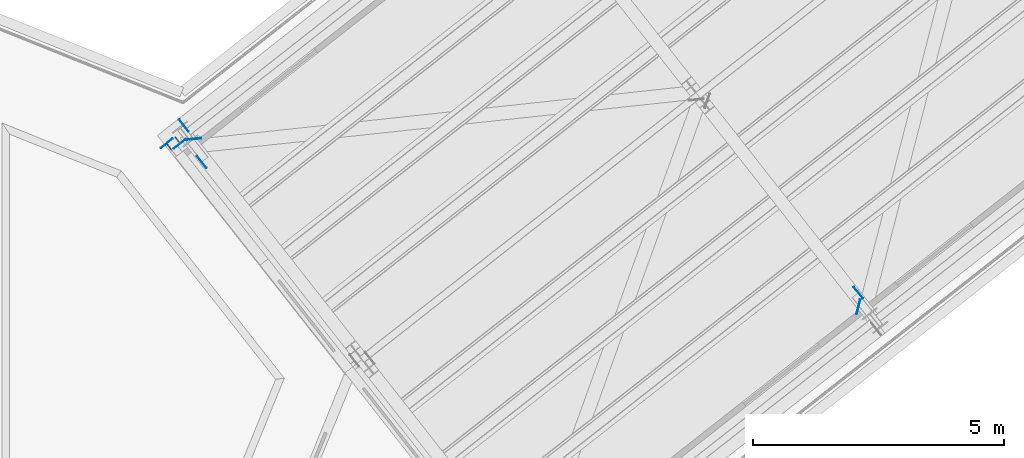
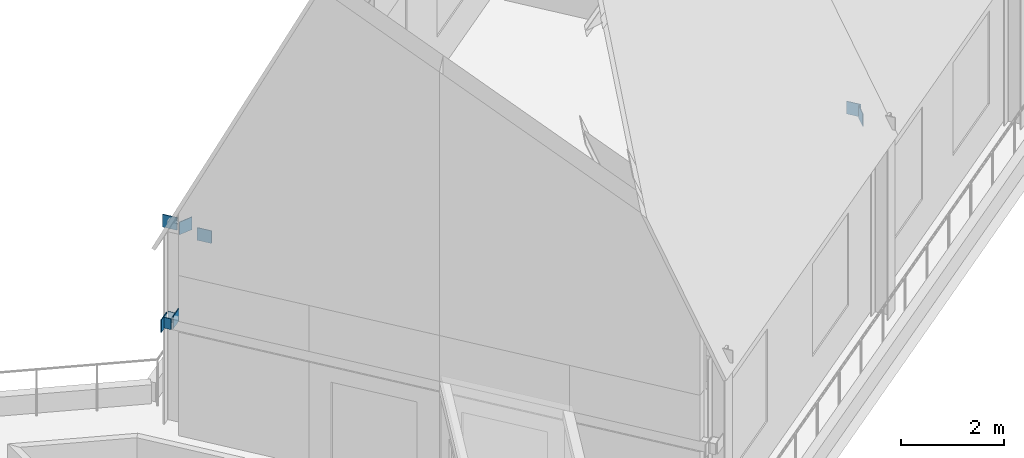
# One storey, part 27 of 32: 9 discrete accessories.
"""IFC4 building model written with IfcOpenShell, lengths in metres."""

from ifc_helpers import new_model, si_unit, direction, frame, origin, origin_2d, place, context, subcontext, project, spatial, rectangle, extrude, element, save


model = new_model("IFC4")

# Units and contexts
model_context = context("Model", 3, precision=1e-05, world=origin(), true_north=direction((0.0, 1.0)))
body_context = subcontext(model_context, "Body", "Model", "MODEL_VIEW")
ifc_project = project(units=[si_unit("LENGTHUNIT", "METRE"), si_unit("AREAUNIT", "SQUARE_METRE"), si_unit("VOLUMEUNIT", "CUBIC_METRE"), si_unit("PLANEANGLEUNIT", "RADIAN"), si_unit("MASSUNIT", "GRAM", prefix="KILO")], contexts=[model_context])

# Site, building, storey
site_placement = place(None, origin())
site = spatial("IfcSite", under=ifc_project, at=site_placement, CompositionType="ELEMENT")
building_placement = place(site_placement, origin())
building = spatial("IfcBuilding", under=site, at=building_placement, Name="Verdalira Terraces Hotel", CompositionType="ELEMENT")
storey_placement = place(building_placement, frame((0.0, 0.0, 315.0)))
storey = spatial("IfcBuildingStorey", under=building, at=storey_placement, Name="L78", CompositionType="ELEMENT", Elevation=315.0)

# Discrete accessories
for number, where, z_axis, x_axis, name in (
    (1, (14.819336, 18.894287, 2.583008), (0.792623989, 0.609710761, 0.0), (-0.609710761, 0.792623989, 0.0), "End cap plate"),
    (2, (14.987793, 19.026611, 2.583008), (0.792623989, 0.609710761, 0.0), (-0.609710761, 0.792623989, 0.0), "End cap plate"),
):
    element("IfcDiscreteAccessory", number, at=place(storey_placement, frame(where, z_axis=z_axis, x_axis=x_axis)), inside=storey, Name=name, PredefinedType="ANCHORPLATE", context=body_context, shape_type="SweptSolid", body=[
        extrude(rectangle(XDim=0.152344, YDim=0.253906, at=origin_2d()), origin(), (0.0, 0.0, 1.0), 0.011963),
    ])
for number, where, z_axis, x_axis, name in (
    (3, (14.776855, 18.968018, 2.433105), (0.0, 0.0, 1.0), (0.786288432, 0.617859613, 0.0), "Connection plate"),
    (4, (15.039795, 18.960449, 2.433105), (0.0, 0.0, 1.0), (-0.786288432, -0.617859613, 0.0), "Connection plate"),
    (5, (15.117676, 19.319336, 4.477051), (0.0, 0.0, 1.0), (0.617859613, -0.786288432, 0.0), "Connection plate"),
    (6, (15.316895, 19.053711, 4.483887), (0.0, 0.0, 1.0), (0.994282914, 0.106777749, 0.0), "Connection plate"),
    (7, (15.4729, 18.594727, 4.477051), (0.0, 0.0, 1.0), (-0.617859613, 0.786288432, 0.0), "Connection plate"),
    (8, (28.544434, 15.993652, 4.477051), (0.0, 0.0, 1.0), (0.617859613, -0.786288432, 0.0), "Connection plate"),
    (9, (28.544922, 15.7146, 4.483887), (0.0, 0.0, 1.0), (0.249430252, 0.968392766, 0.0), "Connection plate"),
):
    element("IfcDiscreteAccessory", number, at=place(storey_placement, frame(where, z_axis=z_axis, x_axis=x_axis)), inside=storey, Name=name, PredefinedType="BRACKET", context=body_context, shape_type="SweptSolid", body=[
        extrude(rectangle(XDim=0.300049, YDim=0.016113, at=origin_2d()), origin(), (0.0, 0.0, 1.0), 0.300049),
    ])

save(model, "model.ifc")
